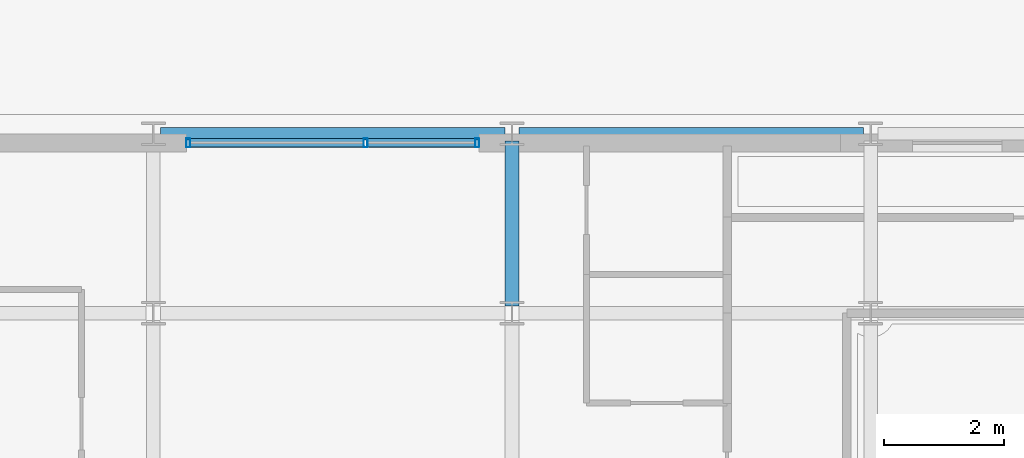
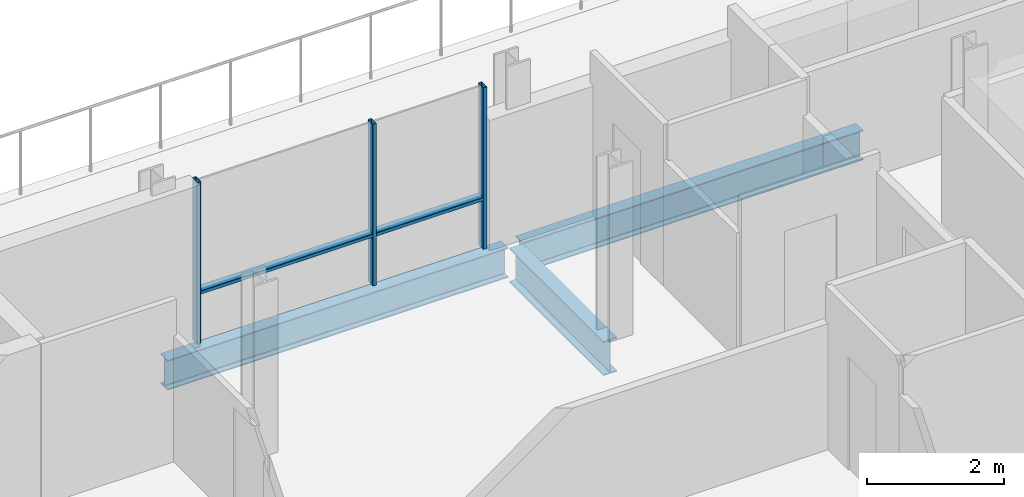
# One storey, part 8 of 38: 5 members, 3 beams, 1 element without a shape of its own.
"""IFC4 building model written with IfcOpenShell, lengths in metres."""

from ifc_helpers import new_model, si_unit, direction, frame, origin, origin_2d, place, context, subcontext, project, spatial, hollow_rectangle, i_section, extrude, material, layer, layer_set, material_profile, profile_set, type_object, element, aggregate, save


model = new_model("IFC4")

# Units and contexts
model_context = context("Model", 3, precision=1e-05, world=origin(), true_north=direction((0.0, 1.0)))
body_context = subcontext(model_context, "Body", "Model", "MODEL_VIEW")
ifc_project = project(units=[si_unit("LENGTHUNIT", "METRE"), si_unit("AREAUNIT", "SQUARE_METRE"), si_unit("VOLUMEUNIT", "CUBIC_METRE"), si_unit("PLANEANGLEUNIT", "RADIAN"), si_unit("MASSUNIT", "GRAM", prefix="KILO")], contexts=[model_context])

# Site, building, storey
site_placement = place(None, origin())
site = spatial("IfcSite", under=ifc_project, at=site_placement, CompositionType="ELEMENT")
building_placement = place(site_placement, origin())
building = spatial("IfcBuilding", under=site, at=building_placement, Name="Brevholm Reach", CompositionType="ELEMENT")
storey_placement = place(building_placement, frame((0.0, 0.0, 172.800048828125)))
storey = spatial("IfcBuildingStorey", under=building, at=storey_placement, Name="L52", CompositionType="ELEMENT", Elevation=172.800048828125)

# Beams
ifc_material_1 = material(Name="Structural Steel S355J2", Category="steel")
ifc_material_profile_1 = material_profile(ifc_material_1, i_section(OverallWidth=0.209228515625, OverallDepth=0.533203125, WebThickness=0.010009765625, FlangeThickness=0.015625, FilletRadius=0.0126953125, at=origin_2d()), Name="UKB 533x210x92")
ifc_profile_set_1 = profile_set([ifc_material_profile_1], Name="Structural Steel S355J2")
beam_type_1 = type_object("IfcBeamType", Name="BM-SP533", PredefinedType="SPANDREL", material=ifc_profile_set_1)
for number, where, z_axis, x_axis, name in (
    (1, (6.1201171875, 26.5, -0.4765625), (1.0, 0.0, 0.0), (0.0, 1.0, 0.0), "L52 SP-02 Framing Beam"),
    (2, (12.1201171875, 26.5, -0.4765625), (1.0, 0.0, 0.0), (0.0, 1.0, 0.0), "L52 SP-02 Framing Beam"),
):
    element("IfcBeam", number, at=place(storey_placement, frame(where, z_axis=z_axis, x_axis=x_axis)), inside=storey, type_object=beam_type_1, Name=name, PredefinedType="SPANDREL", context=body_context, shape_type="SweptSolid", body=[
        extrude(i_section(OverallWidth=0.209228515625, OverallDepth=0.533203125, WebThickness=0.010009765625, FlangeThickness=0.015625, FilletRadius=0.0126953125, at=origin_2d()), origin(), (0.0, 0.0, 1.0), 5.759765625),
    ])
ifc_material_2 = material(Name="Structural Steel S355J2", Category="steel")
ifc_material_profile_2 = material_profile(ifc_material_2, i_section(OverallWidth=0.22900390625, OverallDepth=0.6123046875, WebThickness=0.011962890625, FlangeThickness=0.01953125, FilletRadius=0.0126953125, at=origin_2d()), Name="UKB 610x229x125")
ifc_profile_set_2 = profile_set([ifc_material_profile_2], Name="Structural Steel S355J2")
beam_type_2 = type_object("IfcBeamType", Name="BM-SP610", PredefinedType="SPANDREL", material=ifc_profile_set_2)
beam_placement = place(storey_placement, frame((12.0, 23.6201171875, -0.51611328125), z_axis=(0.0, 1.0, 0.0), x_axis=(-1.0, 0.0, 0.0)))
element("IfcBeam", 3, at=beam_placement, inside=storey, type_object=beam_type_2, Name="L52 SP-01 Framing Beam", PredefinedType="SPANDREL", context=body_context, shape_type="SweptSolid", body=[
    extrude(i_section(OverallWidth=0.22900390625, OverallDepth=0.6123046875, WebThickness=0.011962890625, FlangeThickness=0.01953125, FilletRadius=0.0126953125, at=origin_2d()), origin(), (0.0, 0.0, 1.0), 2.759765625),
])

# Curtain wall, members
ifc_material_3 = material(Name="Dark Anodised Aluminium 6063-T6 and Solar-Control Glass", Category="aluminium")
ifc_layer = layer(ifc_material_3, 0.14990234375)
ifc_layer_set = layer_set([ifc_layer], Name="Dark Anodised Aluminium 6063-T6 and Solar-Control Glass")
curtain_wall_type = type_object("IfcCurtainWallType", Name="CW-01", PredefinedType="NOTDEFINED", material=ifc_layer_set)
curtain_wall_placement = place(storey_placement, origin())
curtain_wall = element("IfcCurtainWall", 4, at=curtain_wall_placement, inside=storey, type_object=curtain_wall_type, Name="L52 Curtain Wall CW-01", PredefinedType="NOTDEFINED")
ifc_material_4 = material(Name="Dark Anodised Aluminium 6063-T6", Category="aluminium")
ifc_material_profile_3 = material_profile(ifc_material_4, hollow_rectangle(XDim=0.06494140625, YDim=0.14990234375, WallThickness=0.0048828125, InnerFilletRadius=0.0048828125, OuterFilletRadius=0.010009765625, at=origin_2d()), Name="RHS 150x65x5")
ifc_profile_set_3 = profile_set([ifc_material_profile_3], Name="Dark Anodised Aluminium 6063-T6")
member_type_1 = type_object("IfcMemberType", Name="CWM-150", PredefinedType="MULLION", material=ifc_profile_set_3)
member_1_placement = place(storey_placement, frame((6.58251953125, 26.35009765625, 0.0), z_axis=(0.0, 0.0, 1.0), x_axis=(1.0, 0.0, 0.0)))
member_1 = element("IfcMember", 5, at=member_1_placement, type_object=member_type_1, Name="CM-150 Mullion 1", PredefinedType="MULLION", context=body_context, shape_type="SweptSolid", body=[
    extrude(hollow_rectangle(XDim=0.06494140625, YDim=0.14990234375, WallThickness=0.0048828125, InnerFilletRadius=0.0048828125, OuterFilletRadius=0.010009765625, at=origin_2d()), origin(), (0.0, 0.0, 1.0), 2.889892578125),
])
member_2_placement = place(storey_placement, frame((9.550048828125, 26.35009765625, 0.0), z_axis=(0.0, 0.0, 1.0), x_axis=(1.0, 0.0, 0.0)))
member_2 = element("IfcMember", 6, at=member_2_placement, type_object=member_type_1, Name="CM-150 Mullion 2", PredefinedType="MULLION", context=body_context, shape_type="SweptSolid", body=[
    extrude(hollow_rectangle(XDim=0.06494140625, YDim=0.14990234375, WallThickness=0.0048828125, InnerFilletRadius=0.0048828125, OuterFilletRadius=0.010009765625, at=origin_2d()), origin(), (0.0, 0.0, 1.0), 2.889892578125),
])
member_3_placement = place(storey_placement, frame((11.41748046875, 26.35009765625, 0.0), z_axis=(0.0, 0.0, 1.0), x_axis=(1.0, 0.0, 0.0)))
member_3 = element("IfcMember", 7, at=member_3_placement, type_object=member_type_1, Name="CM-150 Mullion 3", PredefinedType="MULLION", context=body_context, shape_type="SweptSolid", body=[
    extrude(hollow_rectangle(XDim=0.06494140625, YDim=0.14990234375, WallThickness=0.0048828125, InnerFilletRadius=0.0048828125, OuterFilletRadius=0.010009765625, at=origin_2d()), origin(), (0.0, 0.0, 1.0), 2.889892578125),
])
ifc_material_5 = material(Name="Dark Anodised Aluminium 6063-T6", Category="aluminium")
ifc_material_profile_4 = material_profile(ifc_material_5, hollow_rectangle(XDim=0.06494140625, YDim=0.14990234375, WallThickness=0.0048828125, InnerFilletRadius=0.0048828125, OuterFilletRadius=0.010009765625, at=origin_2d()), Name="RHS 150x65x5")
ifc_profile_set_4 = profile_set([ifc_material_profile_4], Name="Dark Anodised Aluminium 6063-T6")
member_type_2 = type_object("IfcMemberType", Name="CWT-150", PredefinedType="NOTDEFINED", material=ifc_profile_set_4)
member_4_placement = place(storey_placement, frame((6.614990234375, 26.35009765625, 0.89990234375), z_axis=(1.0, 0.0, 0.0), x_axis=(0.0, 0.0, 1.0)))
member_4 = element("IfcMember", 8, at=member_4_placement, type_object=member_type_2, Name="CT-150 Transom 1.1", ObjectType="TRANSOM", PredefinedType="USERDEFINED", context=body_context, shape_type="SweptSolid", body=[
    extrude(hollow_rectangle(XDim=0.06494140625, YDim=0.14990234375, WallThickness=0.0048828125, InnerFilletRadius=0.0048828125, OuterFilletRadius=0.010009765625, at=origin_2d()), origin(), (0.0, 0.0, 1.0), 2.902587890625),
])
member_5_placement = place(storey_placement, frame((9.58251953125, 26.35009765625, 0.89990234375), z_axis=(1.0, 0.0, 0.0), x_axis=(0.0, 0.0, 1.0)))
member_5 = element("IfcMember", 9, at=member_5_placement, type_object=member_type_2, Name="CT-150 Transom 2.1", ObjectType="TRANSOM", PredefinedType="USERDEFINED", context=body_context, shape_type="SweptSolid", body=[
    extrude(hollow_rectangle(XDim=0.06494140625, YDim=0.14990234375, WallThickness=0.0048828125, InnerFilletRadius=0.0048828125, OuterFilletRadius=0.010009765625, at=origin_2d()), origin(), (0.0, 0.0, 1.0), 1.802490234375),
])
aggregate(curtain_wall, [member_1, member_2, member_3, member_4, member_5])

save(model, "model.ifc")
